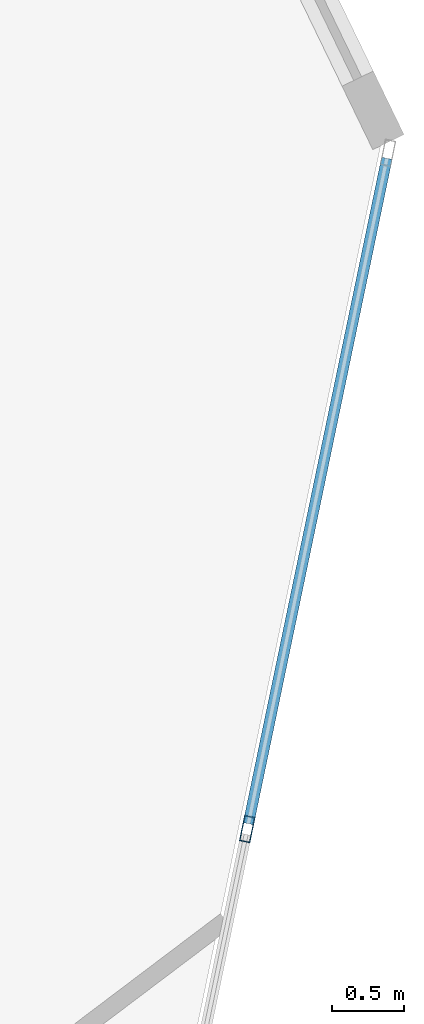
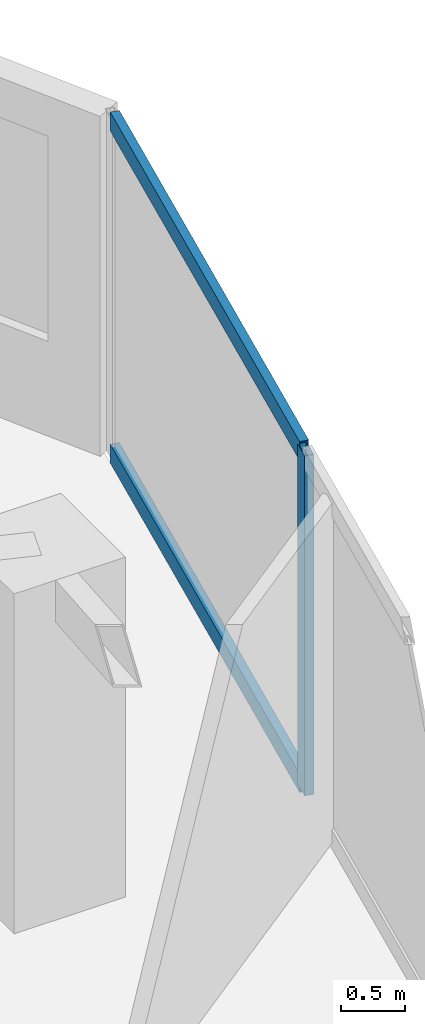
# One storey, part 11 of 20: 3 members, 1 element without a shape of its own.
"""IFC4 building model written with IfcOpenShell, lengths in metres."""

from ifc_helpers import new_model, si_unit, direction, frame, origin, origin_2d, place, context, subcontext, project, spatial, hollow_rectangle, extrude, source, transform, mapped, material, layer, layer_set, material_profile, profile_set, type_object, type_shapes, element, aggregate, save


model = new_model("IFC4")

# Units and contexts
model_context = context("Model", 3, precision=1e-05, world=origin(), true_north=direction((0.0, 1.0)))
body_context = subcontext(model_context, "Body", "Model", "MODEL_VIEW")
ifc_project = project(units=[si_unit("LENGTHUNIT", "METRE"), si_unit("AREAUNIT", "SQUARE_METRE"), si_unit("VOLUMEUNIT", "CUBIC_METRE"), si_unit("PLANEANGLEUNIT", "RADIAN"), si_unit("MASSUNIT", "GRAM", prefix="KILO")], contexts=[model_context])

# Site, building, storey
site_placement = place(None, origin())
site = spatial("IfcSite", under=ifc_project, at=site_placement, CompositionType="ELEMENT")
building_placement = place(site_placement, origin())
building = spatial("IfcBuilding", under=site, at=building_placement, Name="Talar Marvaseh", CompositionType="ELEMENT")
storey_placement = place(building_placement, frame((0.0, 0.0, 191.5)))
storey = spatial("IfcBuildingStorey", under=building, at=storey_placement, Name="L50", CompositionType="ELEMENT", Elevation=191.5)

# Curtain wall, members
ifc_material = material(Name="Architectural Aluminium", Category="aluminium")
ifc_layer = layer(ifc_material, 0.18994140625)
ifc_layer_set = layer_set([ifc_layer], Name="Architectural Aluminium")
curtain_wall_type = type_object("IfcCurtainWallType", Name="Unitised Solar Atelier Curtain Wall Z3", PredefinedType="NOTDEFINED", material=ifc_layer_set)
curtain_wall_placement = place(storey_placement, origin())
curtain_wall = element("IfcCurtainWall", 1, at=curtain_wall_placement, inside=storey, type_object=curtain_wall_type, Name="L50 Unitised Solar Atelier Curtain Wall Z3", PredefinedType="NOTDEFINED")
ifc_material_profile_1 = material_profile(ifc_material, hollow_rectangle(XDim=0.074951171875, YDim=0.179931640625, WallThickness=0.0048828125, at=origin_2d()), Name="RHS180x75x5")
ifc_profile_set_1 = profile_set([ifc_material_profile_1], Name="Architectural Aluminium")
member_type_1 = type_object("IfcMemberType", Name="Unitised Curtain Wall Standard Mullion RHS180x75x5", PredefinedType="MULLION", material=ifc_profile_set_1)
shared_shape_1 = source(origin(), body_context, "Body", "SweptSolid", [
    extrude(hollow_rectangle(XDim=0.074951171875, YDim=0.179931640625, WallThickness=0.0048828125, at=origin_2d()), origin(), (0.0, 0.0, 1.0), 3.22998046875),
])
type_shapes(member_type_1, [shared_shape_1])
member_1_placement = place(storey_placement, frame((41.562744140625, 34.95361328125, 0.0), z_axis=(0.0, 0.0, 1.0), x_axis=(0.979013963541, -0.203793177492, 0.0)))
member_1 = element("IfcMember", 2, at=member_1_placement, type_object=member_type_1, Name="CW-Z3 mullion 2", PredefinedType="MULLION", context=body_context, shape_type="MappedRepresentation", body=[
    mapped(shared_shape_1, transform((0.0, 0.0, 0.0), x_axis=(1.0, 0.0, 0.0), y_axis=(0.0, 1.0, 0.0), z_axis=(0.0, 0.0, 1.0), scale=1.0)),
])
ifc_material_profile_2 = material_profile(ifc_material, hollow_rectangle(XDim=0.074951171875, YDim=0.179931640625, WallThickness=0.0048828125, at=origin_2d()), Name="RHS180x75x5")
ifc_profile_set_2 = profile_set([ifc_material_profile_2], Name="Architectural Aluminium")
member_type_2 = type_object("IfcMemberType", Name="Unitised Curtain Wall Transom RHS180x75x5", PredefinedType="USERDEFINED", material=ifc_profile_set_2)
shared_shape_2 = source(origin(), body_context, "Body", "SweptSolid", [
    extrude(hollow_rectangle(XDim=0.074951171875, YDim=0.179931640625, WallThickness=0.0048828125, at=origin_2d()), origin(), (0.0, 0.0, 1.0), 4.70947265625),
])
type_shapes(member_type_2, [shared_shape_2])
member_2_placement = place(storey_placement, frame((42.5302734375, 39.60107421875, 0.03759765625), z_axis=(-0.203786566089, -0.979015339758, 0.0), x_axis=(0.979015339758, -0.203786566089, 0.0)))
member_2 = element("IfcMember", 3, at=member_2_placement, type_object=member_type_2, Name="CW-Z3 transom 1.1", ObjectType="TRANSOM", PredefinedType="USERDEFINED", context=body_context, shape_type="MappedRepresentation", body=[
    mapped(shared_shape_2, transform((0.0, 0.0, 0.0), x_axis=(1.0, 0.0, 0.0), y_axis=(0.0, 1.0, 0.0), z_axis=(0.0, 0.0, 1.0), scale=1.0)),
])
member_3_placement = place(storey_placement, frame((42.5302734375, 39.60107421875, 3.1923828125), z_axis=(-0.203786566089, -0.979015339758, 0.0), x_axis=(0.979015339758, -0.203786566089, 0.0)))
member_3 = element("IfcMember", 4, at=member_3_placement, type_object=member_type_2, Name="CW-Z3 transom 1.2", ObjectType="TRANSOM", PredefinedType="USERDEFINED", context=body_context, shape_type="MappedRepresentation", body=[
    mapped(shared_shape_2, transform((0.0, 0.0, 0.0), x_axis=(1.0, 0.0, 0.0), y_axis=(0.0, 1.0, 0.0), z_axis=(0.0, 0.0, 1.0), scale=1.0)),
])
aggregate(curtain_wall, [member_1, member_2, member_3])

save(model, "model.ifc")
